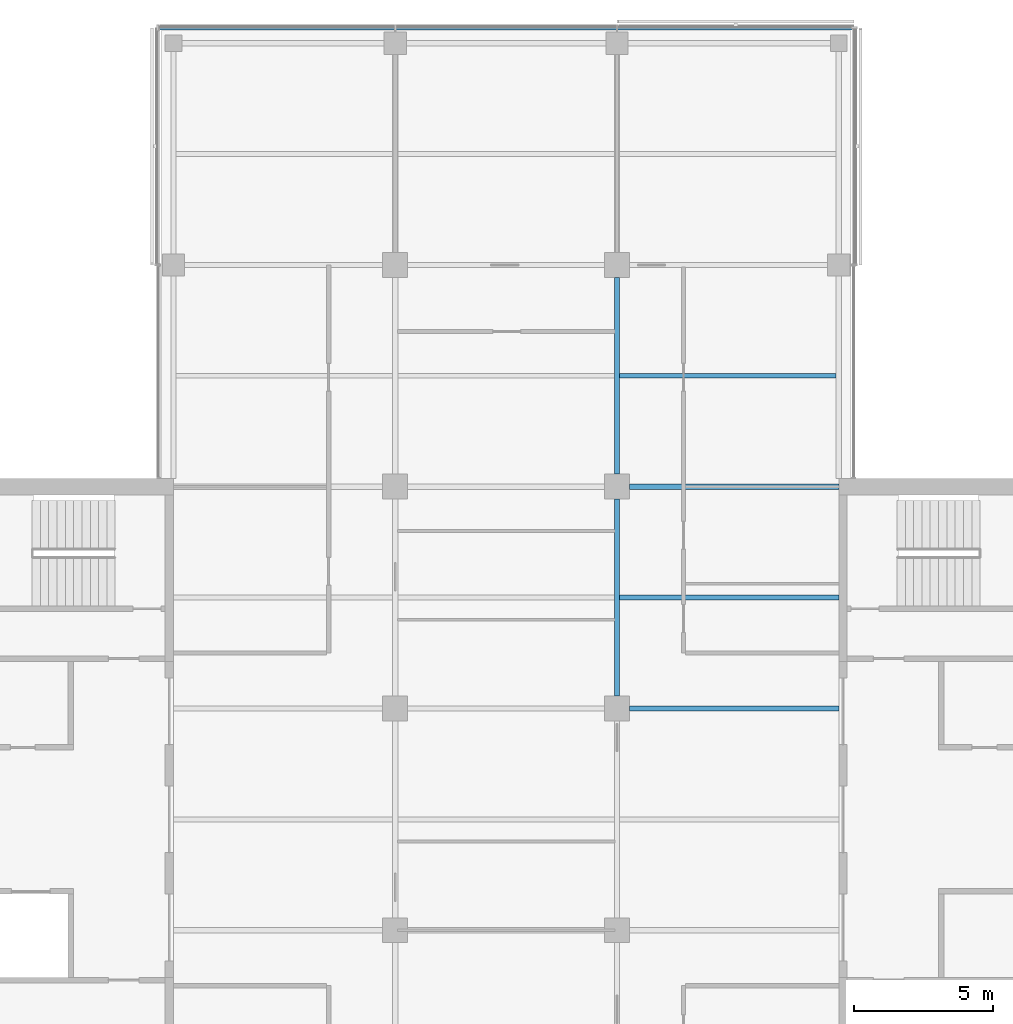
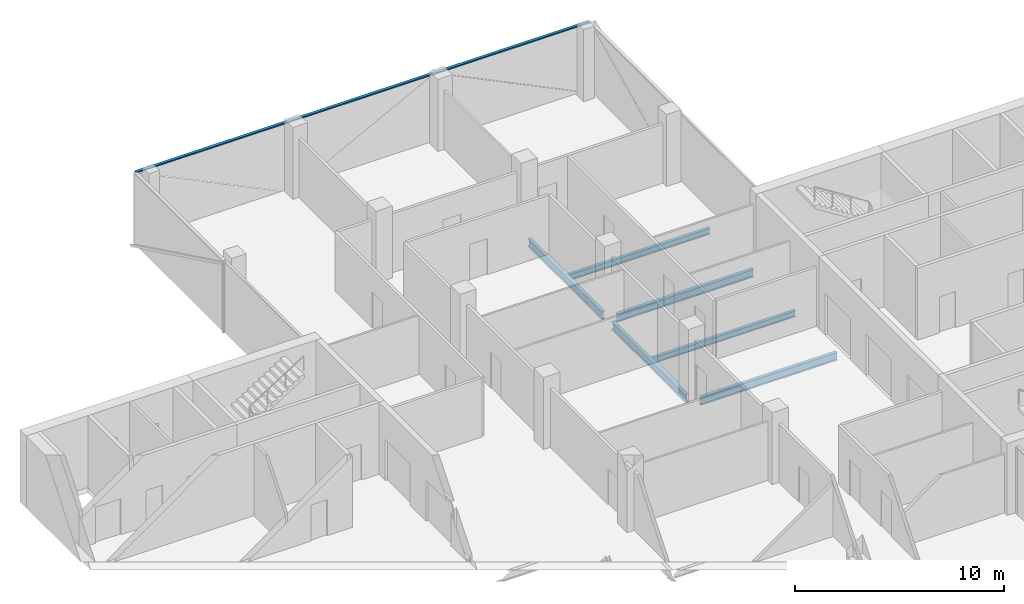
# One storey, part 6 of 15: 6 beams, 1 member, 1 element without a shape of its own.
"""IFC4 building model written with IfcOpenShell, lengths in metres."""

import ifcopenshell
import ifcopenshell.guid

model = None  # the IFC model being written
_history = None  # IfcOwnerHistory: only IFC2X3 demands one
_inside = {}  # id of a spatial element -> (the spatial element, [elements in it])
_under = {}  # id of a project, library or spatial element -> (it, [spatial elements below it])
_declared = {}  # id of a project -> (the project, [libraries it declares])
_typed = {}  # id of a type object -> (the type object, [elements of that type])
_made_of = {}  # id of a material, layer set ... -> (it, [elements and type objects made of it])


def new_model(schema):
    """Start an empty IFC model of exactly this schema.

    Asked for "IFC4X3", IfcOpenShell would pick the latest addendum, in which some entities
    have other attributes; the version numbers below select the first issue.
    IFC2X3 requires an IfcOwnerHistory on every rooted entity: one is made here for all.
    """
    global model, _history
    if schema == "IFC4X3":
        model = ifcopenshell.file(schema_version=(4, 3, 0, 0))
    else:
        model = ifcopenshell.file(schema=schema)
    _inside.clear()
    _under.clear()
    _declared.clear()
    _typed.clear()
    _made_of.clear()
    _history = None
    if model.schema == "IFC2X3":
        org = make("IfcOrganization", Name="unknown")
        user = make(
            "IfcPersonAndOrganization",
            ThePerson=make("IfcPerson", FamilyName="unknown"),
            TheOrganization=org,
        )
        app = make(
            "IfcApplication",
            ApplicationDeveloper=org,
            Version="unknown",
            ApplicationFullName="unknown",
            ApplicationIdentifier="unknown",
        )
        _history = make(
            "IfcOwnerHistory",
            OwningUser=user,
            OwningApplication=app,
            ChangeAction="ADDED",
            CreationDate=0,
        )
    return model


def make(cls, **values):
    """One entity of the class cls with the attributes given. An attribute that is None is left unset."""
    return model.create_entity(
        cls, **{name: value for name, value in values.items() if value is not None}
    )


def rooted(cls, **values):
    """An entity with a GlobalId (a new one), such as an element, a storey or a relation."""
    return make(cls, GlobalId=ifcopenshell.guid.new(), OwnerHistory=_history, **values)


def si_unit(unit_type, name, prefix=None):
    """IfcSIUnit, for example si_unit("LENGTHUNIT", "METRE", prefix="MILLI")."""
    return make("IfcSIUnit", UnitType=unit_type, Prefix=prefix, Name=name)


def assignment(units):
    """IfcUnitAssignment: the units of a project."""
    return None if units is None else make("IfcUnitAssignment", Units=units)


def point(xyz):
    """IfcCartesianPoint."""
    return None if xyz is None else make("IfcCartesianPoint", Coordinates=xyz)


def direction(xyz):
    """IfcDirection."""
    return None if xyz is None else make("IfcDirection", DirectionRatios=xyz)


def frame(location, z_axis=None, x_axis=None):
    """IfcAxis2Placement3D, a coordinate frame: its origin and axes. An axis left out is left unset."""
    return make(
        "IfcAxis2Placement3D",
        Location=point(location),
        Axis=direction(z_axis),
        RefDirection=direction(x_axis),
    )


def frame_2d(location, x_axis=None):
    """IfcAxis2Placement2D, a coordinate frame in the plane: its origin and x axis."""
    return make(
        "IfcAxis2Placement2D", Location=point(location), RefDirection=direction(x_axis)
    )


def origin():
    """The frame at (0, 0, 0) with its axes left unset."""
    return frame((0.0, 0.0, 0.0))


def origin_2d():
    """The frame at (0, 0) in the plane with its x axis left unset."""
    return frame_2d((0.0, 0.0))


def place(relative_to, where):
    """IfcLocalPlacement: puts the frame where relative to a parent placement (None: the world)."""
    return make(
        "IfcLocalPlacement", PlacementRelTo=relative_to, RelativePlacement=where
    )


def context(
    kind, dimensions, precision=None, world=None, true_north=None, identifier=None
):
    """IfcGeometricRepresentationContext, for example the 3D "Model" context."""
    return make(
        "IfcGeometricRepresentationContext",
        ContextIdentifier=identifier,
        ContextType=kind,
        CoordinateSpaceDimension=dimensions,
        Precision=precision,
        WorldCoordinateSystem=world,
        TrueNorth=true_north,
    )


def subcontext(parent, identifier, kind, view, scale=None):
    """IfcGeometricRepresentationSubContext, for example "Body" below "Model"."""
    return make(
        "IfcGeometricRepresentationSubContext",
        ContextIdentifier=identifier,
        ContextType=kind,
        ParentContext=parent,
        TargetScale=scale,
        TargetView=view,
    )


def project(units=None, contexts=None):
    """IfcProject with its units and contexts."""
    return rooted(
        "IfcProject",
        Name="project",
        RepresentationContexts=contexts,
        UnitsInContext=assignment(units),
    )


def spatial(cls, under=None, at=None, **own):
    """A site, building, storey or space (cls), placed at a placement, below another one or the project."""
    s = rooted(cls, ObjectPlacement=at, **own)
    if under is not None:
        _under.setdefault(under.id(), (under, []))[1].append(s)
    return s


def profile(cls, at=None, kind="AREA", **sizes):
    """A parametric profile (cls). Its sizes go by their IFC names, for example OverallWidth=200.0."""
    return make(cls, ProfileType=kind, Position=at, **sizes)


def rectangle(**sizes):
    """IfcRectangleProfileDef."""
    return profile("IfcRectangleProfileDef", **sizes)


def i_section(**sizes):
    """IfcIShapeProfileDef."""
    return profile("IfcIShapeProfileDef", **sizes)


def extrude(swept, where, along, depth):
    """IfcExtrudedAreaSolid: the profile swept, set in the frame where, extruded along a direction by depth."""
    return make(
        "IfcExtrudedAreaSolid",
        SweptArea=swept,
        Position=where,
        ExtrudedDirection=direction(along),
        Depth=depth,
    )


def shape(context_of_items, identifier, shape_type, items):
    """IfcShapeRepresentation: the items that make up one representation, for example the "Body"."""
    return make(
        "IfcShapeRepresentation",
        ContextOfItems=context_of_items,
        RepresentationIdentifier=identifier,
        RepresentationType=shape_type,
        Items=items,
    )


def material(Name=None, Category=None):
    """IfcMaterial."""
    return make("IfcMaterial", Name=Name, Category=Category)


def material_profile(
    of_material, cross_section, Name=None, Category=None, Priority=None
):
    """IfcMaterialProfile: a cross section and its material."""
    return make(
        "IfcMaterialProfile",
        Name=Name,
        Material=of_material,
        Profile=cross_section,
        Priority=Priority,
        Category=Category,
    )


def profile_set(profiles, Name=None, composite=None):
    """IfcMaterialProfileSet."""
    return make(
        "IfcMaterialProfileSet",
        Name=Name,
        MaterialProfiles=profiles,
        CompositeProfile=composite,
    )


def made_of(thing, what):
    """Note that an element or type object is made of a material, layer set ...; save() writes the relation."""
    if what is not None:
        _made_of.setdefault(what.id(), (what, []))[1].append(thing)
    return thing


def type_object(cls, material=None, **own):
    """A type object (cls), such as IfcWallType, which elements share."""
    return made_of(rooted(cls, **own), material)


def element(
    cls,
    number,
    at=None,
    inside=None,
    cuts=None,
    type_object=None,
    material=None,
    context=None,
    identifier="Body",
    shape_type=None,
    held_by="IfcProductDefinitionShape",
    body=None,
    shapes=None,
    **own,
):
    """One element of the class cls, such as IfcWall. Its Tag is "e" and its number.

    at: its placement. inside: the storey or other place that contains it. cuts: it is an
    opening in that element (IfcRelVoidsElement). A single representation is given by context,
    identifier, shape_type and body (its items); several are given by shapes. held_by: the class
    of the entity that holds the representations. save() writes the other relations.
    """
    e = rooted(cls, Tag="e%d" % number, ObjectPlacement=at, **own)
    if body is not None:
        shapes = [shape(context, identifier, shape_type, body)]
    if shapes is not None:
        e.Representation = make(held_by, Representations=shapes)
    if inside is not None:
        _inside.setdefault(inside.id(), (inside, []))[1].append(e)
    if cuts is not None:
        rooted(
            "IfcRelVoidsElement", RelatingBuildingElement=cuts, RelatedOpeningElement=e
        )
    if type_object is not None:
        _typed.setdefault(type_object.id(), (type_object, []))[1].append(e)
    return made_of(e, material)


def aggregate(whole, parts):
    """IfcRelAggregates: a whole, such as a stair, and the parts it consists of."""
    return rooted("IfcRelAggregates", RelatingObject=whole, RelatedObjects=parts)


def save(model, path):
    """Write the relations noted so far, then the file.

    IfcRelAggregates (storeys below a building ...), IfcRelContainedInSpatialStructure (elements
    in a storey), IfcRelDefinesByType, IfcRelAssociatesMaterial and IfcRelDeclares: one each for
    every whole, place, type object, material and project.
    """
    for whole, parts in _under.values():
        aggregate(whole, parts)
    for where, things in _inside.values():
        rooted(
            "IfcRelContainedInSpatialStructure",
            RelatedElements=things,
            RelatingStructure=where,
        )
    for kind, things in _typed.values():
        rooted("IfcRelDefinesByType", RelatedObjects=things, RelatingType=kind)
    for what, things in _made_of.values():
        rooted("IfcRelAssociatesMaterial", RelatedObjects=things, RelatingMaterial=what)
    for by, libraries in _declared.values():
        rooted("IfcRelDeclares", RelatingContext=by, RelatedDefinitions=libraries)
    model.write(path)


model = new_model("IFC4")

# Units and contexts
model_context = context("Model", 3, precision=1e-05, world=origin(), true_north=direction((0.0, 1.0)))
body_context = subcontext(model_context, "Body", "Model", "MODEL_VIEW")
ifc_project = project(units=[si_unit("LENGTHUNIT", "METRE"), si_unit("AREAUNIT", "SQUARE_METRE"), si_unit("VOLUMEUNIT", "CUBIC_METRE"), si_unit("PLANEANGLEUNIT", "RADIAN"), si_unit("MASSUNIT", "GRAM", prefix="KILO")], contexts=[model_context])

# Site, building, storey
site_placement = place(None, origin())
site = spatial("IfcSite", under=ifc_project, at=site_placement, CompositionType="ELEMENT")
building_placement = place(site_placement, origin())
building = spatial("IfcBuilding", under=site, at=building_placement, Name="Crosswind Convention Tower", CompositionType="ELEMENT")
storey_placement = place(building_placement, frame((0.0, 0.0, 199.89990234375)))
storey = spatial("IfcBuildingStorey", under=building, at=storey_placement, Name="L42", CompositionType="ELEMENT", Elevation=199.89990234375)

# Beams
ifc_material_1 = material(Name="Steel S355", Category="steel")
ifc_material_profile_1 = material_profile(ifc_material_1, i_section(OverallWidth=0.1904296875, OverallDepth=0.457275390625, WebThickness=0.009033203125, FlangeThickness=0.014404296875, FilletRadius=0.01025390625, at=origin_2d()), Name="UB 457x191x75")
ifc_profile_set_1 = profile_set([ifc_material_profile_1], Name="Steel S355")
beam_type_1 = type_object("IfcBeamType", Name="Girder UB 457x191x75", PredefinedType="BEAM", material=ifc_profile_set_1)
for number, where, z_axis, x_axis, name in (
    (1, (129.0, 104.449951171875, -0.528564453125), (0.0, 1.0, 0.0), (-1.0, 0.0, 0.0), "B2 L42 girder 20"),
    (2, (129.0, 112.449951171875, -0.528564453125), (0.0, 1.0, 0.0), (-1.0, 0.0, 0.0), "B2 L42 girder 21"),
):
    element("IfcBeam", number, at=place(storey_placement, frame(where, z_axis=z_axis, x_axis=x_axis)), inside=storey, type_object=beam_type_1, Name=name, PredefinedType="BEAM", context=body_context, shape_type="SweptSolid", body=[
        extrude(i_section(OverallWidth=0.1904296875, OverallDepth=0.457275390625, WebThickness=0.009033203125, FlangeThickness=0.014404296875, FilletRadius=0.01025390625, at=origin_2d()), origin(), (0.0, 0.0, 1.0), 7.10009765625),
    ])
ifc_material_profile_2 = material_profile(ifc_material_1, i_section(OverallWidth=0.19140625, OverallDepth=0.460205078125, WebThickness=0.010009765625, FlangeThickness=0.01611328125, FilletRadius=0.01025390625, at=origin_2d()), Name="UB 457x191x82")
ifc_profile_set_2 = profile_set([ifc_material_profile_2], Name="Steel S355")
beam_type_2 = type_object("IfcBeamType", Name="Girder at core wall UB 457x191x82", PredefinedType="BEAM", material=ifc_profile_set_2)
for number, where, z_axis, x_axis, name in (
    (3, (129.449951171875, 104.0, -0.530029296875), (1.0, 0.0, 0.0), (0.0, 1.0, 0.0), "B23 L42 girder at core wall 7"),
    (4, (129.449951171875, 112.0, -0.530029296875), (1.0, 0.0, 0.0), (0.0, 1.0, 0.0), "B23 L42 girder at core wall 8"),
):
    element("IfcBeam", number, at=place(storey_placement, frame(where, z_axis=z_axis, x_axis=x_axis)), inside=storey, type_object=beam_type_2, Name=name, PredefinedType="BEAM", context=body_context, shape_type="SweptSolid", body=[
        extrude(i_section(OverallWidth=0.19140625, OverallDepth=0.460205078125, WebThickness=0.010009765625, FlangeThickness=0.01611328125, FilletRadius=0.01025390625, at=origin_2d()), origin(), (0.0, 0.0, 1.0), 7.550048828125),
    ])
ifc_material_profile_3 = material_profile(ifc_material_1, i_section(OverallWidth=0.172119140625, OverallDepth=0.358642578125, WebThickness=0.008056640625, FlangeThickness=0.012939453125, FilletRadius=0.01025390625, at=origin_2d()), Name="UB 356x171x57")
ifc_profile_set_3 = profile_set([ifc_material_profile_3], Name="Steel S355")
beam_type_3 = type_object("IfcBeamType", Name="Secondary beam UB 356x171x57", PredefinedType="JOIST", material=ifc_profile_set_3)
beam_1_placement = place(storey_placement, frame((129.09521484375, 108.0, -0.479248046875), z_axis=(1.0, 0.0, 0.0), x_axis=(0.0, 1.0, 0.0)))
element("IfcBeam", 5, at=beam_1_placement, inside=storey, type_object=beam_type_3, Name="B9 L42 secondary beam 19", PredefinedType="JOIST", context=body_context, shape_type="SweptSolid", body=[
    extrude(i_section(OverallWidth=0.172119140625, OverallDepth=0.358642578125, WebThickness=0.008056640625, FlangeThickness=0.012939453125, FilletRadius=0.01025390625, at=origin_2d()), origin(), (0.0, 0.0, 1.0), 7.90478515625),
])
beam_2_placement = place(storey_placement, frame((129.09521484375, 116.0, -0.479248046875), z_axis=(1.0, 0.0, 0.0), x_axis=(0.0, 1.0, 0.0)))
element("IfcBeam", 6, at=beam_2_placement, inside=storey, type_object=beam_type_3, Name="B9 L42 secondary beam 20", PredefinedType="JOIST", context=body_context, shape_type="SweptSolid", body=[
    extrude(i_section(OverallWidth=0.172119140625, OverallDepth=0.358642578125, WebThickness=0.008056640625, FlangeThickness=0.012939453125, FilletRadius=0.01025390625, at=origin_2d()), origin(), (0.0, 0.0, 1.0), 7.809814453125),
])

# Curtain wall, member
ifc_material_2 = material(Name="Aluminium unitised curtain wall", Category="aluminium")
curtain_wall_type = type_object("IfcCurtainWallType", Name="OFFICE UNITISED WALL 220", PredefinedType="USERDEFINED", material=ifc_material_2)
curtain_wall_placement = place(storey_placement, origin())
curtain_wall = element("IfcCurtainWall", 7, at=curtain_wall_placement, inside=storey, type_object=curtain_wall_type, Name="CW3 L42 N-TIP 1", ObjectType="UNITISED", PredefinedType="USERDEFINED")
ifc_material_3 = material(Name="Aluminium transom", Category="aluminium")
ifc_material_profile_4 = material_profile(ifc_material_3, rectangle(XDim=0.159912109375, YDim=0.070068359375, at=origin_2d()), Name="AL 160X70")
ifc_profile_set_4 = profile_set([ifc_material_profile_4], Name="Aluminium transom")
member_type = type_object("IfcMemberType", Name="TRANSOM 70X160", PredefinedType="USERDEFINED", material=ifc_profile_set_4)
member_placement = place(storey_placement, frame((137.52490234375, 128.56005859375, 3.864990234375), z_axis=(-1.0, 0.0, 0.0), x_axis=(0.0, -1.0, 0.0)))
member = element("IfcMember", 8, at=member_placement, type_object=member_type, Name="CW3 transom", ObjectType="TRANSOM", PredefinedType="USERDEFINED", context=body_context, shape_type="SweptSolid", body=[
    extrude(rectangle(XDim=0.159912109375, YDim=0.070068359375, at=origin_2d()), origin(), (0.0, 0.0, 1.0), 25.0498046875),
])
aggregate(curtain_wall, [member])

save(model, "model.ifc")
